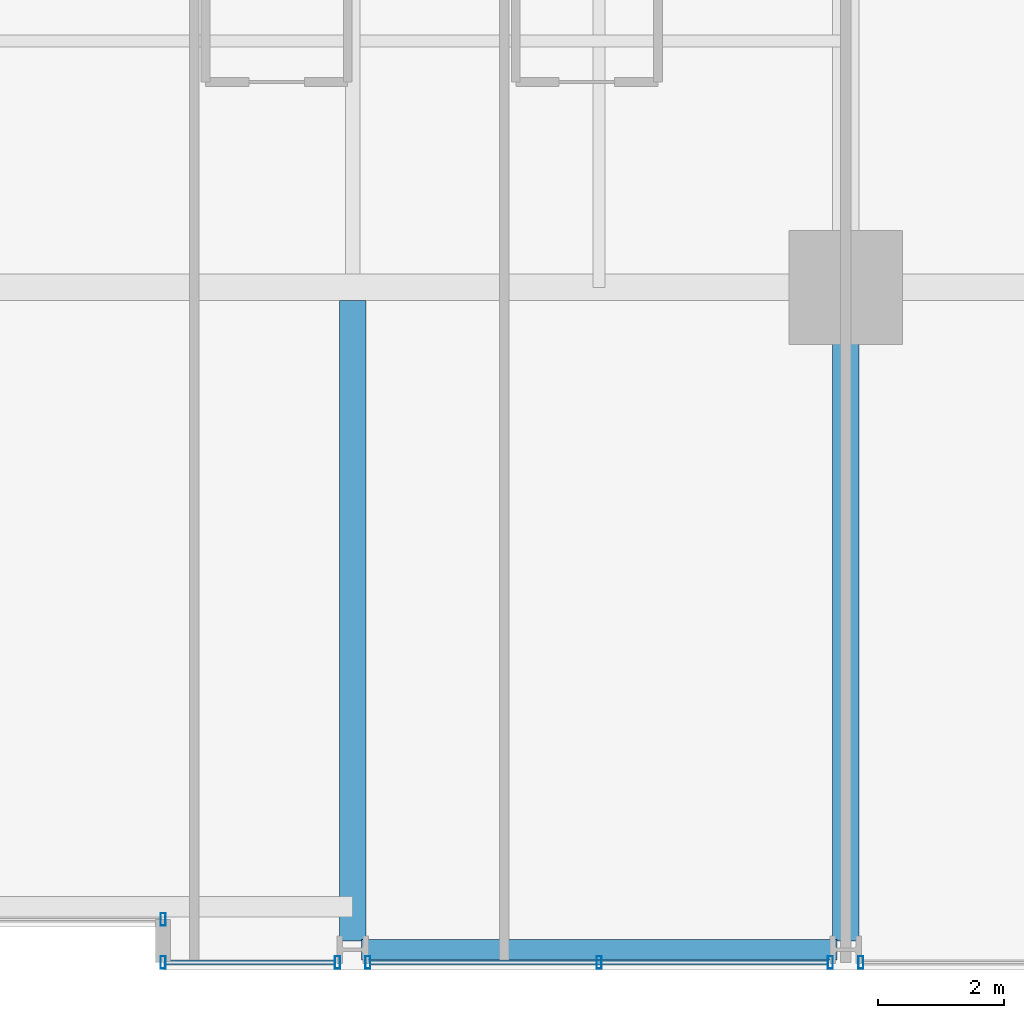
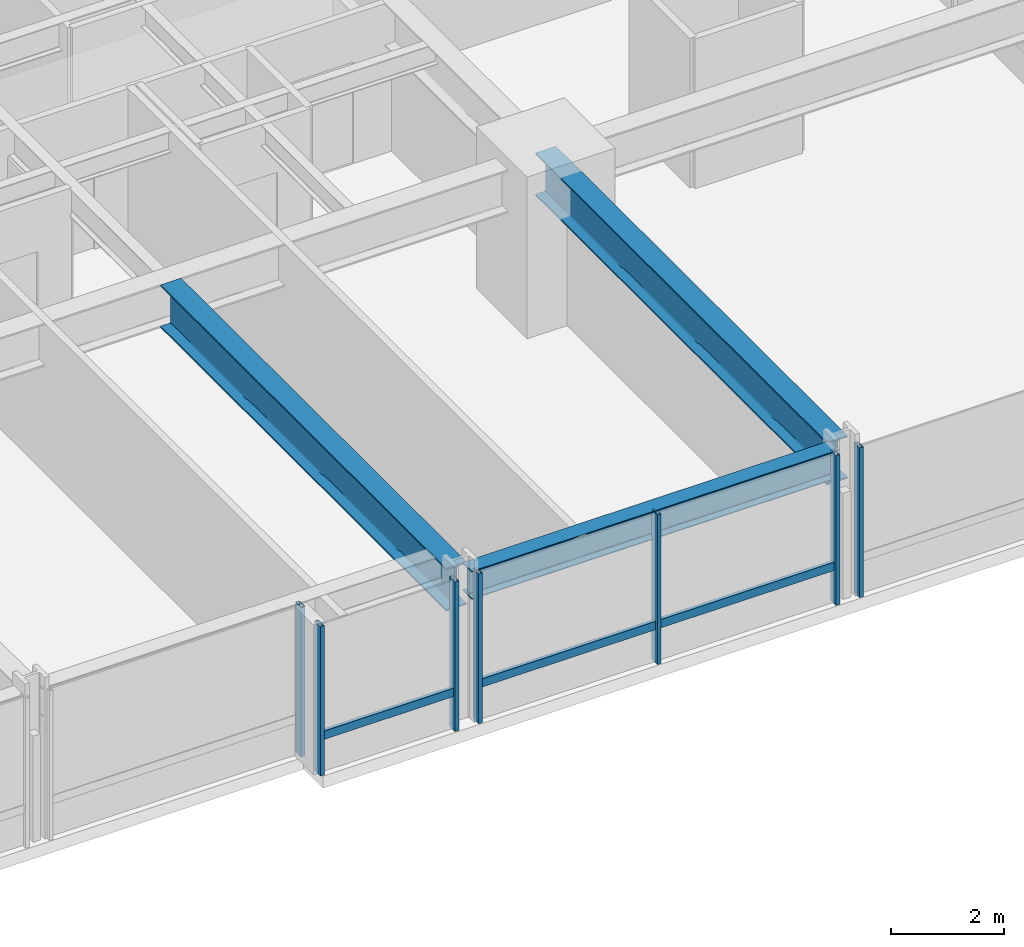
# One storey, part 11 of 42: 9 members, 3 beams, 4 elements without a shape of their own.
"""IFC4 building model written with IfcOpenShell, lengths in metres."""

from ifc_helpers import new_model, si_unit, direction, frame, origin, origin_2d, place, context, subcontext, project, spatial, hollow_rectangle, i_section, extrude, material, layer, layer_set, material_profile, profile_set, type_object, element, aggregate, save


model = new_model("IFC4")

# Units and contexts
model_context = context("Model", 3, precision=1e-05, world=origin(), true_north=direction((0.0, 1.0)))
body_context = subcontext(model_context, "Body", "Model", "MODEL_VIEW")
ifc_project = project(units=[si_unit("LENGTHUNIT", "METRE"), si_unit("AREAUNIT", "SQUARE_METRE"), si_unit("VOLUMEUNIT", "CUBIC_METRE"), si_unit("PLANEANGLEUNIT", "RADIAN"), si_unit("MASSUNIT", "GRAM", prefix="KILO")], contexts=[model_context])

# Site, building, storey
site_placement = place(None, origin())
site = spatial("IfcSite", under=ifc_project, at=site_placement, CompositionType="ELEMENT")
building_placement = place(site_placement, origin())
building = spatial("IfcBuilding", under=site, at=building_placement, Name="Drelvath Grand Hotel", CompositionType="ELEMENT")
storey_placement = place(building_placement, frame((0.0, 0.0, 33.199951171875)))
storey = spatial("IfcBuildingStorey", under=building, at=storey_placement, Name="L06", CompositionType="ELEMENT", Elevation=33.199951171875)

# Curtain wall, member
ifc_material_1 = material(Name="Warm Bronze Anodised Aluminium Frame", Category="aluminium")
ifc_layer = layer(ifc_material_1, 0.199951171875)
ifc_layer_set = layer_set([ifc_layer], Name="Warm Bronze Anodised Aluminium Frame")
curtain_wall_type = type_object("IfcCurtainWallType", Name="Stick Curtain Wall CW-02 Warm Bronze Low-Rise", PredefinedType="NOTDEFINED", material=ifc_layer_set)
curtain_wall_1_placement = place(storey_placement, origin())
curtain_wall_1 = element("IfcCurtainWall", 1, at=curtain_wall_1_placement, inside=storey, type_object=curtain_wall_type, Name="L06 CW-02 Curtain Wall CW02-L06-SE1", PredefinedType="NOTDEFINED")
ifc_material_profile_1 = material_profile(ifc_material_1, hollow_rectangle(XDim=0.074951171875, YDim=0.179931640625, WallThickness=0.0048828125, at=origin_2d()), Name="HSS180X75X5")
ifc_profile_set_1 = profile_set([ifc_material_profile_1], Name="Warm Bronze Anodised Aluminium Frame")
member_type_1 = type_object("IfcMemberType", Name="Curtain Wall Horizontal Transom CW-02 HSS180X75X5", PredefinedType="USERDEFINED", material=ifc_profile_set_1)
member_1_placement = place(storey_placement, frame((8.119140625, 0.1201171875, 0.81005859375), z_axis=(-1.0, 0.0, 0.0), x_axis=(0.0, -1.0, 0.0)))
member_1 = element("IfcMember", 2, at=member_1_placement, type_object=member_type_1, Name="CW02-L06-SE1 Sill Transom", ObjectType="TRANSOM", PredefinedType="USERDEFINED", context=body_context, shape_type="SweptSolid", body=[
    extrude(hollow_rectangle(XDim=0.074951171875, YDim=0.179931640625, WallThickness=0.0048828125, at=origin_2d()), origin(), (0.0, 0.0, 1.0), 2.67919921875),
])

curtain_wall_2_placement = place(storey_placement, origin())
curtain_wall_2 = element("IfcCurtainWall", 3, at=curtain_wall_2_placement, inside=storey, type_object=curtain_wall_type, Name="L06 CW-02 Curtain Wall CW02-L06-SE2", PredefinedType="NOTDEFINED")
member_2_placement = place(storey_placement, frame((15.919189453125, 0.1201171875, 0.81005859375), z_axis=(-1.0, 0.0, 0.0), x_axis=(0.0, -1.0, 0.0)))
member_2 = element("IfcMember", 4, at=member_2_placement, type_object=member_type_1, Name="CW02-L06-SE2 Sill Transom", ObjectType="TRANSOM", PredefinedType="USERDEFINED", context=body_context, shape_type="SweptSolid", body=[
    extrude(hollow_rectangle(XDim=0.074951171875, YDim=0.179931640625, WallThickness=0.0048828125, at=origin_2d()), origin(), (0.0, 0.0, 1.0), 7.23828125),
])

# Member
ifc_material_profile_2 = material_profile(ifc_material_1, hollow_rectangle(XDim=0.080078125, YDim=0.199951171875, WallThickness=0.0048828125, at=origin_2d()), Name="HSS200X80X5")
ifc_profile_set_2 = profile_set([ifc_material_profile_2], Name="Warm Bronze Anodised Aluminium Frame")
member_type_2 = type_object("IfcMemberType", Name="Curtain Wall Vertical Mullion CW-02 HSS200X80X5", PredefinedType="MULLION", material=ifc_profile_set_2)
member_3_placement = place(storey_placement, frame((8.1591796875, 0.1201171875, 0.0), z_axis=(0.0, 0.0, 1.0), x_axis=(1.0, 0.0, 0.0)))
member_3 = element("IfcMember", 5, at=member_3_placement, type_object=member_type_2, Name="CW02-L06-SE1 Mullion 1", PredefinedType="MULLION", context=body_context, shape_type="SweptSolid", body=[
    extrude(hollow_rectangle(XDim=0.080078125, YDim=0.199951171875, WallThickness=0.0048828125, at=origin_2d()), origin(), (0.0, 0.0, 1.0), 3.239990234375),
])

member_4_placement = place(storey_placement, frame((5.39990234375, 0.1201171875, 0.0), z_axis=(0.0, 0.0, 1.0), x_axis=(1.0, 0.0, 0.0)))
member_4 = element("IfcMember", 6, at=member_4_placement, type_object=member_type_2, Name="CW02-L06-SE1 Mullion 2", PredefinedType="MULLION", context=body_context, shape_type="SweptSolid", body=[
    extrude(hollow_rectangle(XDim=0.080078125, YDim=0.199951171875, WallThickness=0.0048828125, at=origin_2d()), origin(), (0.0, 0.0, 1.0), 3.239990234375),
])

aggregate(curtain_wall_1, [member_3, member_4, member_1])

member_5_placement = place(storey_placement, frame((15.958984375, 0.1201171875, 0.0), z_axis=(0.0, 0.0, 1.0), x_axis=(1.0, 0.0, 0.0)))
member_5 = element("IfcMember", 7, at=member_5_placement, type_object=member_type_2, Name="CW02-L06-SE2 Mullion 1", PredefinedType="MULLION", context=body_context, shape_type="SweptSolid", body=[
    extrude(hollow_rectangle(XDim=0.080078125, YDim=0.199951171875, WallThickness=0.0048828125, at=origin_2d()), origin(), (0.0, 0.0, 1.0), 3.239990234375),
])

member_6_placement = place(storey_placement, frame((12.300048828125, 0.1201171875, 0.0), z_axis=(0.0, 0.0, 1.0), x_axis=(1.0, 0.0, 0.0)))
member_6 = element("IfcMember", 8, at=member_6_placement, type_object=member_type_2, Name="CW02-L06-SE2 Mullion 2", PredefinedType="MULLION", context=body_context, shape_type="SweptSolid", body=[
    extrude(hollow_rectangle(XDim=0.080078125, YDim=0.199951171875, WallThickness=0.0048828125, at=origin_2d()), origin(), (0.0, 0.0, 1.0), 3.239990234375),
])

member_7_placement = place(storey_placement, frame((8.640869140625, 0.1201171875, 0.0), z_axis=(0.0, 0.0, 1.0), x_axis=(1.0, 0.0, 0.0)))
member_7 = element("IfcMember", 9, at=member_7_placement, type_object=member_type_2, Name="CW02-L06-SE2 Mullion 3", PredefinedType="MULLION", context=body_context, shape_type="SweptSolid", body=[
    extrude(hollow_rectangle(XDim=0.080078125, YDim=0.199951171875, WallThickness=0.0048828125, at=origin_2d()), origin(), (0.0, 0.0, 1.0), 3.239990234375),
])

aggregate(curtain_wall_2, [member_5, member_6, member_7, member_2])

# Curtain wall, member
curtain_wall_3_placement = place(storey_placement, origin())
curtain_wall_3 = element("IfcCurtainWall", 10, at=curtain_wall_3_placement, inside=storey, type_object=curtain_wall_type, Name="L06 CW-02 Curtain Wall CW02-L06-SE3", PredefinedType="NOTDEFINED")
member_8_placement = place(storey_placement, frame((16.44091796875, 0.1201171875, 0.0), z_axis=(0.0, 0.0, 1.0), x_axis=(1.0, 0.0, 0.0)))
member_8 = element("IfcMember", 11, at=member_8_placement, type_object=member_type_2, Name="CW02-L06-SE3 Mullion 3", PredefinedType="MULLION", context=body_context, shape_type="SweptSolid", body=[
    extrude(hollow_rectangle(XDim=0.080078125, YDim=0.199951171875, WallThickness=0.0048828125, at=origin_2d()), origin(), (0.0, 0.0, 1.0), 3.239990234375),
])
aggregate(curtain_wall_3, [member_8])

curtain_wall_4_placement = place(storey_placement, origin())
curtain_wall_4 = element("IfcCurtainWall", 12, at=curtain_wall_4_placement, inside=storey, type_object=curtain_wall_type, Name="L06 CW-02 Curtain Wall CW02-L06-SM2", PredefinedType="NOTDEFINED")
member_9_placement = place(storey_placement, frame((5.39990234375, 0.800048828125, 0.0), z_axis=(0.0, 0.0, 1.0), x_axis=(1.0, 0.0, 0.0)))
member_9 = element("IfcMember", 13, at=member_9_placement, type_object=member_type_2, Name="CW02-L06-SM2 Mullion 1", PredefinedType="MULLION", context=body_context, shape_type="SweptSolid", body=[
    extrude(hollow_rectangle(XDim=0.080078125, YDim=0.199951171875, WallThickness=0.0048828125, at=origin_2d()), origin(), (0.0, 0.0, 1.0), 3.239990234375),
])
aggregate(curtain_wall_4, [member_9])

# Beams
ifc_material_2 = material(Name="Steel ASTM A992 Gr 50", Category="steel")
ifc_material_profile_3 = material_profile(ifc_material_2, i_section(OverallWidth=0.323974609375, OverallDepth=0.611083984375, WebThickness=0.0126953125, FlangeThickness=0.01904296875, FilletRadius=0.02197265625, at=origin_2d()), Name="W24X104")
ifc_profile_set_3 = profile_set([ifc_material_profile_3], Name="Steel ASTM A992 Gr 50")
beam_type_1 = type_object("IfcBeamType", Name="Perimeter Spandrel Beam W24X104", PredefinedType="SPANDREL", material=ifc_profile_set_3)
beam_1_placement = place(storey_placement, frame((8.5400390625, 0.320068359375, 2.9345703125), z_axis=(1.0, 0.0, 0.0), x_axis=(0.0, 1.0, 0.0)))
element("IfcBeam", 14, at=beam_1_placement, inside=storey, type_object=beam_type_1, Name="L06 Spandrel South E", PredefinedType="SPANDREL", context=body_context, shape_type="SweptSolid", body=[
    extrude(i_section(OverallWidth=0.323974609375, OverallDepth=0.611083984375, WebThickness=0.0126953125, FlangeThickness=0.01904296875, FilletRadius=0.02197265625, at=origin_2d()), origin(), (0.0, 0.0, 1.0), 7.52001953125),
])
ifc_material_profile_4 = material_profile(ifc_material_2, i_section(OverallWidth=0.418212890625, OverallDepth=0.926513671875, WebThickness=0.019287109375, FlangeThickness=0.031982421875, FilletRadius=0.028076171875, at=origin_2d()), Name="W36X231")
ifc_profile_set_4 = profile_set([ifc_material_profile_4], Name="Steel ASTM A992 Gr 50")
beam_type_2 = type_object("IfcBeamType", Name="Primary Floor Girder W36X231", PredefinedType="BEAM", material=ifc_profile_set_4)
beam_2_placement = place(storey_placement, frame((16.199951171875, 0.4599609375, 2.77685546875), z_axis=(0.0, 1.0, 0.0), x_axis=(-1.0, 0.0, 0.0)))
element("IfcBeam", 15, at=beam_2_placement, inside=storey, type_object=beam_type_2, Name="L06 South Grid Girder 7", PredefinedType="BEAM", context=body_context, shape_type="SweptSolid", body=[
    extrude(i_section(OverallWidth=0.418212890625, OverallDepth=0.926513671875, WebThickness=0.019287109375, FlangeThickness=0.031982421875, FilletRadius=0.028076171875, at=origin_2d()), origin(), (0.0, 0.0, 1.0), 10.340087890625),
])
beam_3_placement = place(storey_placement, frame((8.39990234375, 0.4599609375, 2.77685546875), z_axis=(0.0, 1.0, 0.0), x_axis=(-1.0, 0.0, 0.0)))
element("IfcBeam", 16, at=beam_3_placement, inside=storey, type_object=beam_type_2, Name="L06 South Wing Girder 6", PredefinedType="BEAM", context=body_context, shape_type="SweptSolid", body=[
    extrude(i_section(OverallWidth=0.418212890625, OverallDepth=0.926513671875, WebThickness=0.019287109375, FlangeThickness=0.031982421875, FilletRadius=0.028076171875, at=origin_2d()), origin(), (0.0, 0.0, 1.0), 10.130859375),
])

save(model, "model.ifc")
